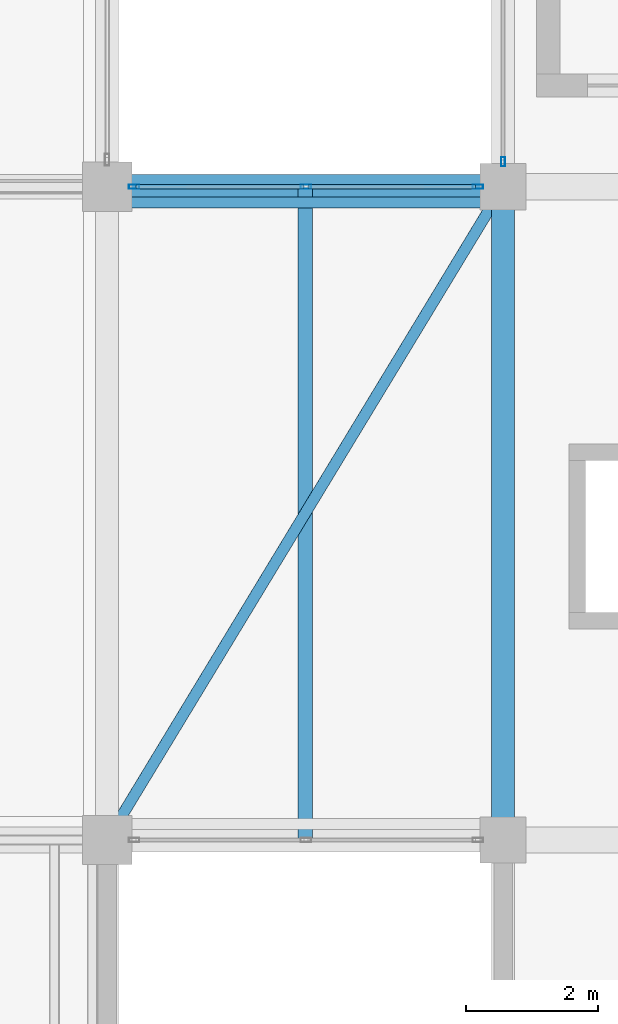
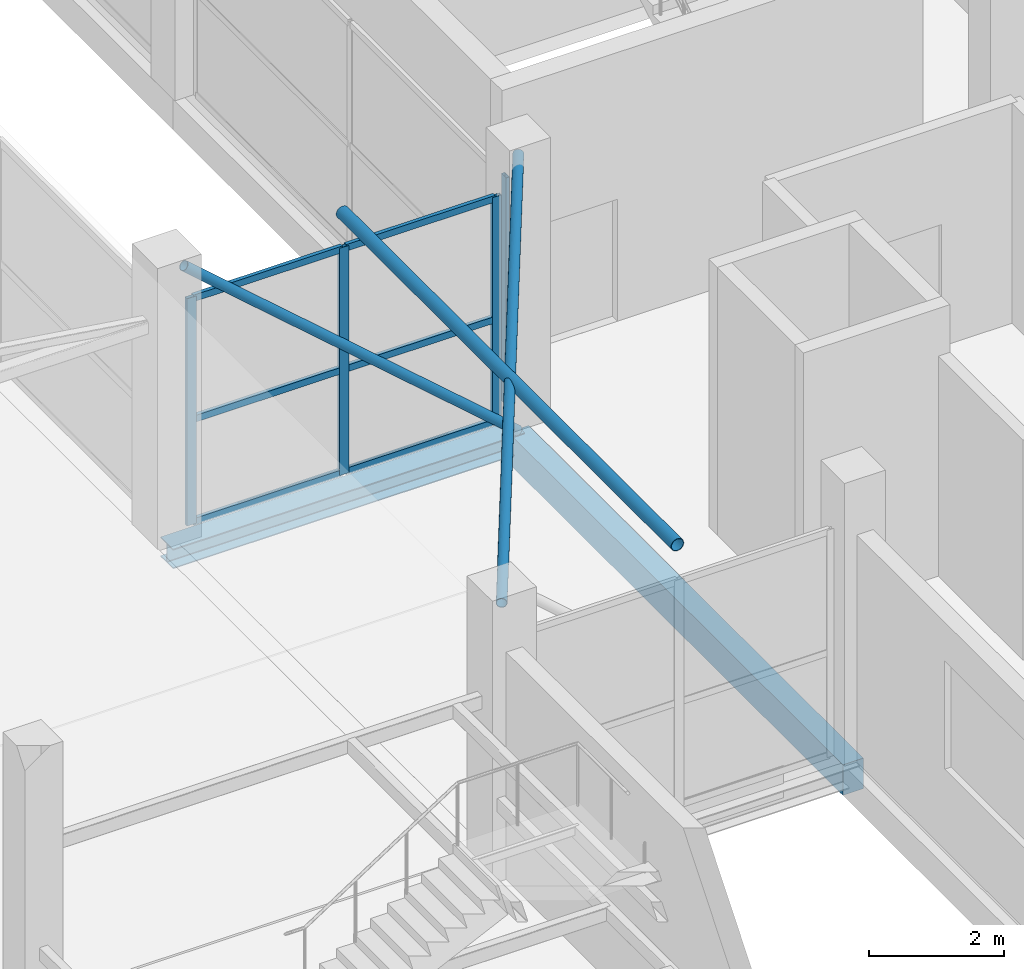
# One storey, part 16 of 67: 13 members, 2 beams, 2 elements without a shape of their own.
"""IFC4 building model written with IfcOpenShell, lengths in metres."""

from ifc_helpers import new_model, si_unit, direction, frame, origin, origin_2d, place, context, subcontext, project, spatial, rectangle, hollow_rectangle, hollow_circle, i_section, extrude, material, layer, layer_set, material_profile, profile_set, type_object, element, aggregate, save


model = new_model("IFC4")

# Units and contexts
model_context = context("Model", 3, precision=1e-05, world=origin(), true_north=direction((0.0, 1.0)))
body_context = subcontext(model_context, "Body", "Model", "MODEL_VIEW")
ifc_project = project(units=[si_unit("LENGTHUNIT", "METRE"), si_unit("AREAUNIT", "SQUARE_METRE"), si_unit("VOLUMEUNIT", "CUBIC_METRE"), si_unit("PLANEANGLEUNIT", "RADIAN"), si_unit("MASSUNIT", "GRAM", prefix="KILO")], contexts=[model_context])

# Site, building, storey
site_placement = place(None, origin())
site = spatial("IfcSite", under=ifc_project, at=site_placement, CompositionType="ELEMENT")
building_placement = place(site_placement, origin())
building = spatial("IfcBuilding", under=site, at=building_placement, Name="Sillaruma Civic Art Gallery", CompositionType="ELEMENT")
storey_placement = place(building_placement, frame((0.0, 0.0, 46.919921875)))
storey = spatial("IfcBuildingStorey", under=building, at=storey_placement, Name="L09", CompositionType="ELEMENT", Elevation=46.919921875)

# Beams
ifc_material_1 = material(Name="Structural Steel ASTM A992 Gr.50", Category="steel")
ifc_material_profile_1 = material_profile(ifc_material_1, i_section(OverallWidth=0.368896484375, OverallDepth=0.35595703125, WebThickness=0.01123046875, FlangeThickness=0.01806640625, FilletRadius=0.014892578125, at=origin_2d()), Name="W360x134")
ifc_profile_set_1 = profile_set([ifc_material_profile_1], Name="Structural Steel ASTM A992 Gr.50")
beam_type_1 = type_object("IfcBeamType", Name="BM-BRIDGE-W360x134", PredefinedType="SPANDREL", material=ifc_profile_set_1)
beam_1_placement = place(storey_placement, frame((92.0, 49.5, -0.387939453125), z_axis=(1.0, 0.0, 0.0), x_axis=(0.0, 1.0, 0.0)))
element("IfcBeam", 1, at=beam_1_placement, inside=storey, type_object=beam_type_1, Name="Sky-Bridge Steel Edge Girder (BRG-S:L09:N)", PredefinedType="SPANDREL", context=body_context, shape_type="SweptSolid", body=[
    extrude(i_section(OverallWidth=0.368896484375, OverallDepth=0.35595703125, WebThickness=0.01123046875, FlangeThickness=0.01806640625, FilletRadius=0.014892578125, at=origin_2d()), origin(), (0.0, 0.0, 1.0), 6.0),
])
ifc_material_2 = material(Name="Concrete H35 (35 MPa)", Category="concrete")
ifc_material_profile_2 = material_profile(ifc_material_2, rectangle(XDim=0.35009765625, YDim=0.550048828125, at=origin_2d()), Name="RCB350x550")
ifc_profile_set_2 = profile_set([ifc_material_profile_2], Name="Concrete H35 (35 MPa)")
beam_type_2 = type_object("IfcBeamType", Name="BM-SPANDREL-RCB350x550", PredefinedType="SPANDREL", material=ifc_profile_set_2)
beam_2_placement = place(storey_placement, frame((98.0, 39.60009765625, -0.52490234375), z_axis=(0.0, 1.0, 0.0), x_axis=(-1.0, 0.0, 0.0)))
element("IfcBeam", 2, at=beam_2_placement, inside=storey, type_object=beam_type_2, Name="Beam BS-04 (L08:L:5-6)", PredefinedType="SPANDREL", context=body_context, shape_type="SweptSolid", body=[
    extrude(rectangle(XDim=0.35009765625, YDim=0.550048828125, at=origin_2d()), origin(), (0.0, 0.0, 1.0), 9.89990234375),
])

# Members
ifc_material_3 = material(Name="Structural Steel ASTM A500 Gr.C", Category="steel")
ifc_material_profile_3 = material_profile(ifc_material_3, hollow_circle(Radius=0.084228515625, WallThickness=0.007080078125, at=origin_2d()), Name="CHS168.3x7.1")
ifc_profile_set_3 = profile_set([ifc_material_profile_3], Name="Structural Steel ASTM A500 Gr.C")
member_type_1 = type_object("IfcMemberType", Name="MEM-BRIDGE-BRACE", PredefinedType="BRACE", material=ifc_profile_set_3)
member_1_placement = place(storey_placement, frame((97.85009765625, 49.260009765625, -0.079833984375), z_axis=(-0.753735417324, 0.0, 0.657177997707), x_axis=(0.0, -1.0, 0.0)))
element("IfcMember", 3, at=member_1_placement, inside=storey, type_object=member_type_1, Name="Sky-Bridge Elevation Truss Web Brace (BRG-S:L09:N)", PredefinedType="BRACE", context=body_context, shape_type="SweptSolid", body=[
    extrude(hollow_circle(Radius=0.084228515625, WallThickness=0.007080078125, at=origin_2d()), origin(), (0.0, 0.0, 1.0), 7.5625),
])
member_2_placement = place(storey_placement, frame((92.0, 39.60009765625, 4.712158203125), z_axis=(0.518305455332, 0.855195565337, 0.0), x_axis=(-0.855195565337, 0.518305455332, 0.0)))
element("IfcMember", 4, at=member_2_placement, inside=storey, type_object=member_type_1, Name="Sky-Bridge Diagonal Plan Brace (BRG-S:L10)", PredefinedType="BRACE", context=body_context, shape_type="SweptSolid", body=[
    extrude(hollow_circle(Radius=0.084228515625, WallThickness=0.007080078125, at=origin_2d()), origin(), (0.0, 0.0, 1.0), 11.576171875),
])
ifc_material_profile_4 = material_profile(ifc_material_3, hollow_circle(Radius=0.109619140625, WallThickness=0.00830078125, at=origin_2d()), Name="CHS219.1x8.2")
ifc_profile_set_4 = profile_set([ifc_material_profile_4], Name="Structural Steel ASTM A500 Gr.C")
member_type_2 = type_object("IfcMemberType", Name="MEM-BRIDGE-STRUT", PredefinedType="STRUT", material=ifc_profile_set_4)
member_3_placement = place(storey_placement, frame((95.0, 39.60009765625, 4.712158203125), z_axis=(0.0, 1.0, 0.0), x_axis=(-1.0, 0.0, 0.0)))
element("IfcMember", 5, at=member_3_placement, inside=storey, type_object=member_type_2, Name="Sky-Bridge Transverse Strut (BRG-S:L10)", PredefinedType="STRUT", context=body_context, shape_type="SweptSolid", body=[
    extrude(hollow_circle(Radius=0.109619140625, WallThickness=0.00830078125, at=origin_2d()), origin(), (0.0, 0.0, 1.0), 9.89990234375),
])

# Curtain wall, member
ifc_material_4 = material(Name="Thermally Broken Extruded Aluminium 6063-T6", Category="aluminium")
ifc_layer_1 = layer(ifc_material_4, 0.139892578125, Name="Thermally Broken Extruded Aluminium 6063-T6")
ifc_layer_set_1 = layer_set([ifc_layer_1], Name="Thermally Broken Extruded Aluminium 6063-T6")
curtain_wall_type_1 = type_object("IfcCurtainWallType", Name="CW-UNI-70", PredefinedType="NOTDEFINED", material=ifc_layer_set_1)
curtain_wall_1_placement = place(storey_placement, origin())
curtain_wall_1 = element("IfcCurtainWall", 6, at=curtain_wall_1_placement, inside=storey, type_object=curtain_wall_type_1, Name="Unitised Curtain Wall CW-70 (CW-L09-EBW-4)", PredefinedType="NOTDEFINED")
ifc_material_profile_5 = material_profile(ifc_material_4, hollow_rectangle(XDim=0.06005859375, YDim=0.139892578125, WallThickness=0.00341796875, at=origin_2d()), Name="CWM60x140")
ifc_profile_set_5 = profile_set([ifc_material_profile_5], Name="Thermally Broken Extruded Aluminium 6063-T6")
member_type_3 = type_object("IfcMemberType", Name="MEM-MUL-CWM60x140", PredefinedType="MULLION", material=ifc_profile_set_5)
member_4_placement = place(storey_placement, frame((98.0, 49.8798828125, 0.0), z_axis=(0.0, 0.0, 1.0), x_axis=(-1.0, 0.0, 0.0)))
member_4 = element("IfcMember", 7, at=member_4_placement, type_object=member_type_3, Name="CW-70 mullion 1", PredefinedType="MULLION", context=body_context, shape_type="SweptSolid", body=[
    extrude(hollow_rectangle(XDim=0.06005859375, YDim=0.139892578125, WallThickness=0.00341796875, at=origin_2d()), origin(), (0.0, 0.0, 1.0), 4.10009765625),
])
aggregate(curtain_wall_1, [member_4])

# Curtain wall, members
ifc_layer_2 = layer(ifc_material_4, 0.159912109375, Name="Thermally Broken Extruded Aluminium 6063-T6")
ifc_layer_set_2 = layer_set([ifc_layer_2], Name="Thermally Broken Extruded Aluminium 6063-T6")
curtain_wall_type_2 = type_object("IfcCurtainWallType", Name="CW-UNI-75", PredefinedType="NOTDEFINED", material=ifc_layer_set_2)
curtain_wall_2_placement = place(storey_placement, origin())
curtain_wall_2 = element("IfcCurtainWall", 8, at=curtain_wall_2_placement, inside=storey, type_object=curtain_wall_type_2, Name="Unitised Curtain Wall CW-75 (CW-BRG-S-L09-N)", PredefinedType="NOTDEFINED")
ifc_material_profile_6 = material_profile(ifc_material_4, hollow_rectangle(XDim=0.06494140625, YDim=0.159912109375, WallThickness=0.00390625, at=origin_2d()), Name="CWM65x160")
ifc_profile_set_6 = profile_set([ifc_material_profile_6], Name="Thermally Broken Extruded Aluminium 6063-T6")
member_type_4 = type_object("IfcMemberType", Name="MEM-MUL-CWM65x160", PredefinedType="MULLION", material=ifc_profile_set_6)
member_5_placement = place(storey_placement, frame((92.407470703125, 49.5, 0.0), z_axis=(0.0, 0.0, 1.0), x_axis=(0.0, 1.0, 0.0)))
member_5 = element("IfcMember", 9, at=member_5_placement, type_object=member_type_4, Name="CW-75 mullion 1", PredefinedType="MULLION", context=body_context, shape_type="SweptSolid", body=[
    extrude(hollow_rectangle(XDim=0.06494140625, YDim=0.159912109375, WallThickness=0.00390625, at=origin_2d()), origin(), (0.0, 0.0, 1.0), 4.10009765625),
])
member_6_placement = place(storey_placement, frame((95.012451171875, 49.5, 0.0), z_axis=(0.0, 0.0, 1.0), x_axis=(0.0, 1.0, 0.0)))
member_6 = element("IfcMember", 10, at=member_6_placement, type_object=member_type_4, Name="CW-75 mullion 2", PredefinedType="MULLION", context=body_context, shape_type="SweptSolid", body=[
    extrude(hollow_rectangle(XDim=0.06494140625, YDim=0.159912109375, WallThickness=0.00390625, at=origin_2d()), origin(), (0.0, 0.0, 1.0), 4.10009765625),
])
member_7_placement = place(storey_placement, frame((97.617431640625, 49.5, 0.0), z_axis=(0.0, 0.0, 1.0), x_axis=(0.0, 1.0, 0.0)))
member_7 = element("IfcMember", 11, at=member_7_placement, type_object=member_type_4, Name="CW-75 mullion 3", PredefinedType="MULLION", context=body_context, shape_type="SweptSolid", body=[
    extrude(hollow_rectangle(XDim=0.06494140625, YDim=0.159912109375, WallThickness=0.00390625, at=origin_2d()), origin(), (0.0, 0.0, 1.0), 4.10009765625),
])
ifc_material_profile_7 = material_profile(ifc_material_4, hollow_rectangle(XDim=0.06494140625, YDim=0.1201171875, WallThickness=0.00341796875, at=origin_2d()), Name="CWT65x120")
ifc_profile_set_7 = profile_set([ifc_material_profile_7], Name="Thermally Broken Extruded Aluminium 6063-T6")
member_type_5 = type_object("IfcMemberType", Name="MEM-TRN-CWT65x120", PredefinedType="USERDEFINED", material=ifc_profile_set_7)
member_8_placement = place(storey_placement, frame((92.43994140625, 49.5, 0.032470703125), z_axis=(1.0, 0.0, 0.0), x_axis=(0.0, 1.0, 0.0)))
member_8 = element("IfcMember", 12, at=member_8_placement, type_object=member_type_5, Name="CW-75 transom 1.1", ObjectType="TRANSOM", PredefinedType="USERDEFINED", context=body_context, shape_type="SweptSolid", body=[
    extrude(hollow_rectangle(XDim=0.06494140625, YDim=0.1201171875, WallThickness=0.00341796875, at=origin_2d()), origin(), (0.0, 0.0, 1.0), 2.5400390625),
])
member_9_placement = place(storey_placement, frame((92.43994140625, 49.5, 1.885986328125), z_axis=(1.0, 0.0, 0.0), x_axis=(0.0, 1.0, 0.0)))
member_9 = element("IfcMember", 13, at=member_9_placement, type_object=member_type_5, Name="CW-75 transom 1.2", ObjectType="TRANSOM", PredefinedType="USERDEFINED", context=body_context, shape_type="SweptSolid", body=[
    extrude(hollow_rectangle(XDim=0.06494140625, YDim=0.1201171875, WallThickness=0.00341796875, at=origin_2d()), origin(), (0.0, 0.0, 1.0), 2.5400390625),
])
member_10_placement = place(storey_placement, frame((92.43994140625, 49.5, 4.067626953125), z_axis=(1.0, 0.0, 0.0), x_axis=(0.0, 1.0, 0.0)))
member_10 = element("IfcMember", 14, at=member_10_placement, type_object=member_type_5, Name="CW-75 transom 1.3", ObjectType="TRANSOM", PredefinedType="USERDEFINED", context=body_context, shape_type="SweptSolid", body=[
    extrude(hollow_rectangle(XDim=0.06494140625, YDim=0.1201171875, WallThickness=0.00341796875, at=origin_2d()), origin(), (0.0, 0.0, 1.0), 2.5400390625),
])
member_11_placement = place(storey_placement, frame((95.044921875, 49.5, 0.032470703125), z_axis=(1.0, 0.0, 0.0), x_axis=(0.0, 1.0, 0.0)))
member_11 = element("IfcMember", 15, at=member_11_placement, type_object=member_type_5, Name="CW-75 transom 2.1", ObjectType="TRANSOM", PredefinedType="USERDEFINED", context=body_context, shape_type="SweptSolid", body=[
    extrude(hollow_rectangle(XDim=0.06494140625, YDim=0.1201171875, WallThickness=0.00341796875, at=origin_2d()), origin(), (0.0, 0.0, 1.0), 2.5400390625),
])
member_12_placement = place(storey_placement, frame((95.044921875, 49.5, 1.885986328125), z_axis=(1.0, 0.0, 0.0), x_axis=(0.0, 1.0, 0.0)))
member_12 = element("IfcMember", 16, at=member_12_placement, type_object=member_type_5, Name="CW-75 transom 2.2", ObjectType="TRANSOM", PredefinedType="USERDEFINED", context=body_context, shape_type="SweptSolid", body=[
    extrude(hollow_rectangle(XDim=0.06494140625, YDim=0.1201171875, WallThickness=0.00341796875, at=origin_2d()), origin(), (0.0, 0.0, 1.0), 2.5400390625),
])
member_13_placement = place(storey_placement, frame((95.044921875, 49.5, 4.067626953125), z_axis=(1.0, 0.0, 0.0), x_axis=(0.0, 1.0, 0.0)))
member_13 = element("IfcMember", 17, at=member_13_placement, type_object=member_type_5, Name="CW-75 transom 2.3", ObjectType="TRANSOM", PredefinedType="USERDEFINED", context=body_context, shape_type="SweptSolid", body=[
    extrude(hollow_rectangle(XDim=0.06494140625, YDim=0.1201171875, WallThickness=0.00341796875, at=origin_2d()), origin(), (0.0, 0.0, 1.0), 2.5400390625),
])
aggregate(curtain_wall_2, [member_5, member_6, member_7, member_8, member_9, member_10, member_11, member_12, member_13])

save(model, "model.ifc")
